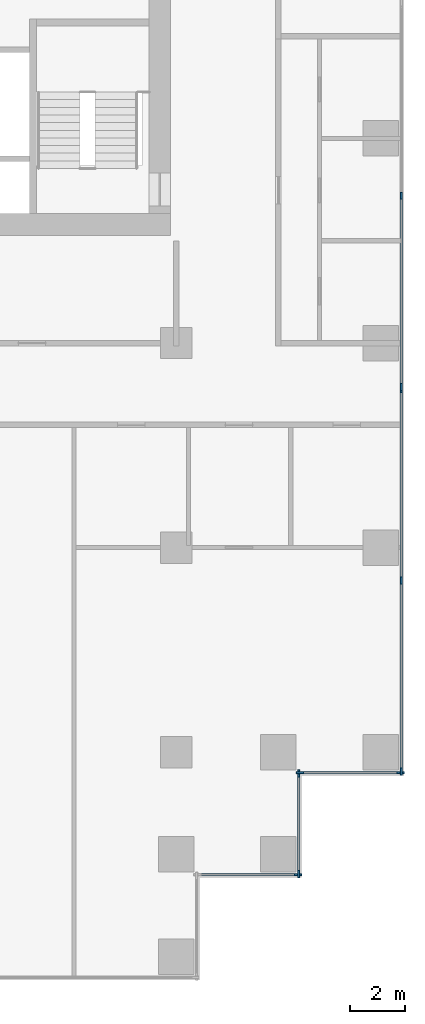
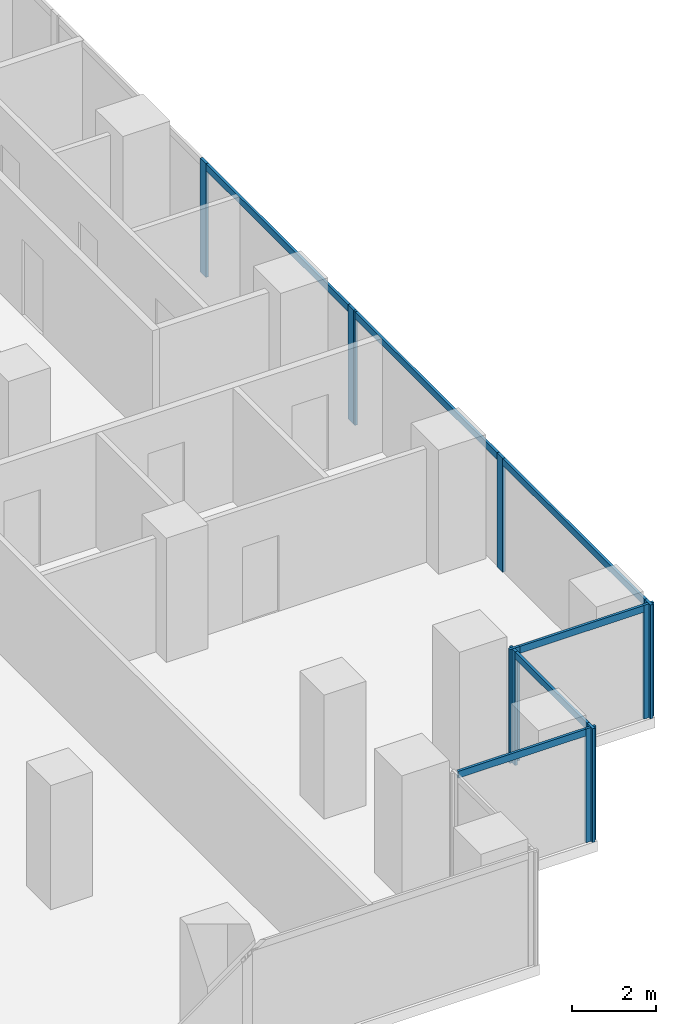
# One storey, part 3 of 10: 16 members, 5 elements without a shape of their own.
"""IFC4 building model written with IfcOpenShell, lengths in metres."""

from ifc_helpers import new_model, si_unit, direction, frame, origin, origin_2d, place, context, subcontext, project, spatial, rectangle, extrude, material, material_profile, profile_set, type_object, element, aggregate, save


model = new_model("IFC4")

# Units and contexts
model_context = context("Model", 3, precision=1e-05, world=origin(), true_north=direction((0.0, 1.0)))
body_context = subcontext(model_context, "Body", "Model", "MODEL_VIEW")
ifc_project = project(units=[si_unit("LENGTHUNIT", "METRE"), si_unit("AREAUNIT", "SQUARE_METRE"), si_unit("VOLUMEUNIT", "CUBIC_METRE"), si_unit("PLANEANGLEUNIT", "RADIAN"), si_unit("MASSUNIT", "GRAM", prefix="KILO")], contexts=[model_context])

# Site, building, storey
site_placement = place(None, origin())
site = spatial("IfcSite", under=ifc_project, at=site_placement, CompositionType="ELEMENT")
building_placement = place(site_placement, origin())
building = spatial("IfcBuilding", under=site, at=building_placement, Name="Pilkhan Gate Tower", CompositionType="ELEMENT")
storey_placement = place(building_placement, frame((0.0, 0.0, 110.800048828125)))
storey = spatial("IfcBuildingStorey", under=building, at=storey_placement, Name="L27", CompositionType="ELEMENT", Elevation=110.800048828125)

# Curtain wall, members
ifc_material_1 = material(Name="Pale anodised aluminium, clear low-iron double glazing", Category="aluminium")
curtain_wall_type = type_object("IfcCurtainWallType", Name="Office unitised curtain wall CW-O1", PredefinedType="USERDEFINED", material=ifc_material_1)
curtain_wall_1_placement = place(storey_placement, origin())
curtain_wall_1 = element("IfcCurtainWall", 1, at=curtain_wall_1_placement, inside=storey, type_object=curtain_wall_type, Name="Office unitised curtain wall CW-O1 L27 E", ObjectType="UNITISED CURTAIN WALL", PredefinedType="USERDEFINED")
ifc_material_2 = material(Name="Pale anodised aluminium", Category="aluminium")
ifc_material_profile_1 = material_profile(ifc_material_2, rectangle(XDim=0.070068359375, YDim=0.27490234375, at=origin_2d()), Name="Mullion 275x70")
ifc_profile_set_1 = profile_set([ifc_material_profile_1], Name="Pale anodised aluminium")
member_type_1 = type_object("IfcMemberType", Name="Mullion CW-O1 275x70", PredefinedType="MULLION", material=ifc_profile_set_1)
member_1_placement = place(storey_placement, frame((98.25, 51.784912109375, 0.0), z_axis=(0.0, 0.0, 1.0), x_axis=(-1.0, 0.0, 0.0)))
member_1 = element("IfcMember", 2, at=member_1_placement, type_object=member_type_1, Name="CW-O1 mullion 1", PredefinedType="MULLION", context=body_context, shape_type="SweptSolid", body=[
    extrude(rectangle(XDim=0.070068359375, YDim=0.27490234375, at=origin_2d()), origin(), (0.0, 0.0, 1.0), 3.300048828125),
])
member_2_placement = place(storey_placement, frame((98.25, 58.800048828125, 0.0), z_axis=(0.0, 0.0, 1.0), x_axis=(-1.0, 0.0, 0.0)))
member_2 = element("IfcMember", 3, at=member_2_placement, type_object=member_type_1, Name="CW-O1 mullion 2", PredefinedType="MULLION", context=body_context, shape_type="SweptSolid", body=[
    extrude(rectangle(XDim=0.070068359375, YDim=0.27490234375, at=origin_2d()), origin(), (0.0, 0.0, 1.0), 3.300048828125),
])
member_3_placement = place(storey_placement, frame((98.25, 65.81494140625, 0.0), z_axis=(0.0, 0.0, 1.0), x_axis=(-1.0, 0.0, 0.0)))
member_3 = element("IfcMember", 4, at=member_3_placement, type_object=member_type_1, Name="CW-O1 mullion 3", PredefinedType="MULLION", context=body_context, shape_type="SweptSolid", body=[
    extrude(rectangle(XDim=0.070068359375, YDim=0.27490234375, at=origin_2d()), origin(), (0.0, 0.0, 1.0), 3.300048828125),
])

curtain_wall_2_placement = place(storey_placement, origin())
curtain_wall_2 = element("IfcCurtainWall", 5, at=curtain_wall_2_placement, inside=storey, type_object=curtain_wall_type, Name="Office unitised curtain wall CW-O1 L27 E", ObjectType="UNITISED CURTAIN WALL", PredefinedType="USERDEFINED")
member_4_placement = place(storey_placement, frame((98.25, 65.885009765625, 0.0), z_axis=(0.0, 0.0, 1.0), x_axis=(-1.0, 0.0, 0.0)))
member_4 = element("IfcMember", 6, at=member_4_placement, type_object=member_type_1, Name="CW-O1 mullion 1", PredefinedType="MULLION", context=body_context, shape_type="SweptSolid", body=[
    extrude(rectangle(XDim=0.070068359375, YDim=0.27490234375, at=origin_2d()), origin(), (0.0, 0.0, 1.0), 3.300048828125),
])
member_5_placement = place(storey_placement, frame((98.25, 72.89990234375, 0.0), z_axis=(0.0, 0.0, 1.0), x_axis=(-1.0, 0.0, 0.0)))
member_5 = element("IfcMember", 7, at=member_5_placement, type_object=member_type_1, Name="CW-O1 mullion 2", PredefinedType="MULLION", context=body_context, shape_type="SweptSolid", body=[
    extrude(rectangle(XDim=0.070068359375, YDim=0.27490234375, at=origin_2d()), origin(), (0.0, 0.0, 1.0), 3.300048828125),
])

# Curtain wall, member
curtain_wall_3_placement = place(storey_placement, origin())
curtain_wall_3 = element("IfcCurtainWall", 8, at=curtain_wall_3_placement, inside=storey, type_object=curtain_wall_type, Name="Office unitised curtain wall CW-O1 L27 S", ObjectType="UNITISED CURTAIN WALL", PredefinedType="USERDEFINED")
member_6_placement = place(storey_placement, frame((94.465087890625, 48.0, 0.0), z_axis=(0.0, 0.0, 1.0), x_axis=(0.0, 1.0, 0.0)))
member_6 = element("IfcMember", 9, at=member_6_placement, type_object=member_type_1, Name="CW-O1 mullion 2", PredefinedType="MULLION", context=body_context, shape_type="SweptSolid", body=[
    extrude(rectangle(XDim=0.070068359375, YDim=0.27490234375, at=origin_2d()), origin(), (0.0, 0.0, 1.0), 3.300048828125),
])

# Curtain wall, members
curtain_wall_4_placement = place(storey_placement, origin())
curtain_wall_4 = element("IfcCurtainWall", 10, at=curtain_wall_4_placement, inside=storey, type_object=curtain_wall_type, Name="Office unitised curtain wall CW-O1 L27 E", ObjectType="UNITISED CURTAIN WALL", PredefinedType="USERDEFINED")
member_7_placement = place(storey_placement, frame((94.5, 48.034912109375, 0.0), z_axis=(0.0, 0.0, 1.0), x_axis=(-1.0, 0.0, 0.0)))
member_7 = element("IfcMember", 11, at=member_7_placement, type_object=member_type_1, Name="CW-O1 mullion 1", PredefinedType="MULLION", context=body_context, shape_type="SweptSolid", body=[
    extrude(rectangle(XDim=0.070068359375, YDim=0.27490234375, at=origin_2d()), origin(), (0.0, 0.0, 1.0), 3.300048828125),
])
member_8_placement = place(storey_placement, frame((94.5, 51.715087890625, 0.0), z_axis=(0.0, 0.0, 1.0), x_axis=(-1.0, 0.0, 0.0)))
member_8 = element("IfcMember", 12, at=member_8_placement, type_object=member_type_1, Name="CW-O1 mullion 2", PredefinedType="MULLION", context=body_context, shape_type="SweptSolid", body=[
    extrude(rectangle(XDim=0.070068359375, YDim=0.27490234375, at=origin_2d()), origin(), (0.0, 0.0, 1.0), 3.300048828125),
])

curtain_wall_5_placement = place(storey_placement, origin())
curtain_wall_5 = element("IfcCurtainWall", 13, at=curtain_wall_5_placement, inside=storey, type_object=curtain_wall_type, Name="Office unitised curtain wall CW-O1 L27 S", ObjectType="UNITISED CURTAIN WALL", PredefinedType="USERDEFINED")
member_9_placement = place(storey_placement, frame((94.534912109375, 51.75, 0.0), z_axis=(0.0, 0.0, 1.0), x_axis=(0.0, 1.0, 0.0)))
member_9 = element("IfcMember", 14, at=member_9_placement, type_object=member_type_1, Name="CW-O1 mullion 1", PredefinedType="MULLION", context=body_context, shape_type="SweptSolid", body=[
    extrude(rectangle(XDim=0.070068359375, YDim=0.27490234375, at=origin_2d()), origin(), (0.0, 0.0, 1.0), 3.300048828125),
])
member_10_placement = place(storey_placement, frame((98.215087890625, 51.75, 0.0), z_axis=(0.0, 0.0, 1.0), x_axis=(0.0, 1.0, 0.0)))
member_10 = element("IfcMember", 15, at=member_10_placement, type_object=member_type_1, Name="CW-O1 mullion 2", PredefinedType="MULLION", context=body_context, shape_type="SweptSolid", body=[
    extrude(rectangle(XDim=0.070068359375, YDim=0.27490234375, at=origin_2d()), origin(), (0.0, 0.0, 1.0), 3.300048828125),
])

# Member
ifc_material_profile_2 = material_profile(ifc_material_2, rectangle(XDim=0.070068359375, YDim=0.199951171875, at=origin_2d()), Name="Transom 200x70")
ifc_profile_set_2 = profile_set([ifc_material_profile_2], Name="Pale anodised aluminium")
member_type_2 = type_object("IfcMemberType", Name="Transom CW-O1 200x70", PredefinedType="USERDEFINED", material=ifc_profile_set_2)
member_11_placement = place(storey_placement, frame((98.25, 51.820068359375, 3.199951171875), z_axis=(0.0, 1.0, 0.0), x_axis=(-1.0, 0.0, 0.0)))
member_11 = element("IfcMember", 16, at=member_11_placement, type_object=member_type_2, Name="CW-O1 transom 1", ObjectType="TRANSOM", PredefinedType="USERDEFINED", context=body_context, shape_type="SweptSolid", body=[
    extrude(rectangle(XDim=0.070068359375, YDim=0.199951171875, at=origin_2d()), origin(), (0.0, 0.0, 1.0), 6.94482421875),
])

member_12_placement = place(storey_placement, frame((98.25, 58.8349609375, 3.199951171875), z_axis=(0.0, 1.0, 0.0), x_axis=(-1.0, 0.0, 0.0)))
member_12 = element("IfcMember", 17, at=member_12_placement, type_object=member_type_2, Name="CW-O1 transom 2", ObjectType="TRANSOM", PredefinedType="USERDEFINED", context=body_context, shape_type="SweptSolid", body=[
    extrude(rectangle(XDim=0.070068359375, YDim=0.199951171875, at=origin_2d()), origin(), (0.0, 0.0, 1.0), 6.945068359375),
])

aggregate(curtain_wall_1, [member_1, member_2, member_3, member_11, member_12])

member_13_placement = place(storey_placement, frame((98.25, 65.919921875, 3.199951171875), z_axis=(0.0, 1.0, 0.0), x_axis=(-1.0, 0.0, 0.0)))
member_13 = element("IfcMember", 18, at=member_13_placement, type_object=member_type_2, Name="CW-O1 transom 1", ObjectType="TRANSOM", PredefinedType="USERDEFINED", context=body_context, shape_type="SweptSolid", body=[
    extrude(rectangle(XDim=0.070068359375, YDim=0.199951171875, at=origin_2d()), origin(), (0.0, 0.0, 1.0), 6.945068359375),
])

aggregate(curtain_wall_2, [member_4, member_5, member_13])

member_14_placement = place(storey_placement, frame((90.820068359375, 48.0, 3.199951171875), z_axis=(1.0, 0.0, 0.0), x_axis=(0.0, 1.0, 0.0)))
member_14 = element("IfcMember", 19, at=member_14_placement, type_object=member_type_2, Name="CW-O1 transom 1", ObjectType="TRANSOM", PredefinedType="USERDEFINED", context=body_context, shape_type="SweptSolid", body=[
    extrude(rectangle(XDim=0.070068359375, YDim=0.199951171875, at=origin_2d()), origin(), (0.0, 0.0, 1.0), 3.60986328125),
])

aggregate(curtain_wall_3, [member_6, member_14])

member_15_placement = place(storey_placement, frame((94.5, 48.070068359375, 3.199951171875), z_axis=(0.0, 1.0, 0.0), x_axis=(-1.0, 0.0, 0.0)))
member_15 = element("IfcMember", 20, at=member_15_placement, type_object=member_type_2, Name="CW-O1 transom 1", ObjectType="TRANSOM", PredefinedType="USERDEFINED", context=body_context, shape_type="SweptSolid", body=[
    extrude(rectangle(XDim=0.070068359375, YDim=0.199951171875, at=origin_2d()), origin(), (0.0, 0.0, 1.0), 3.60986328125),
])

aggregate(curtain_wall_4, [member_7, member_8, member_15])

member_16_placement = place(storey_placement, frame((94.570068359375, 51.75, 3.199951171875), z_axis=(1.0, 0.0, 0.0), x_axis=(0.0, 1.0, 0.0)))
member_16 = element("IfcMember", 21, at=member_16_placement, type_object=member_type_2, Name="CW-O1 transom 1", ObjectType="TRANSOM", PredefinedType="USERDEFINED", context=body_context, shape_type="SweptSolid", body=[
    extrude(rectangle(XDim=0.070068359375, YDim=0.199951171875, at=origin_2d()), origin(), (0.0, 0.0, 1.0), 3.60986328125),
])

aggregate(curtain_wall_5, [member_9, member_10, member_16])

save(model, "model.ifc")
